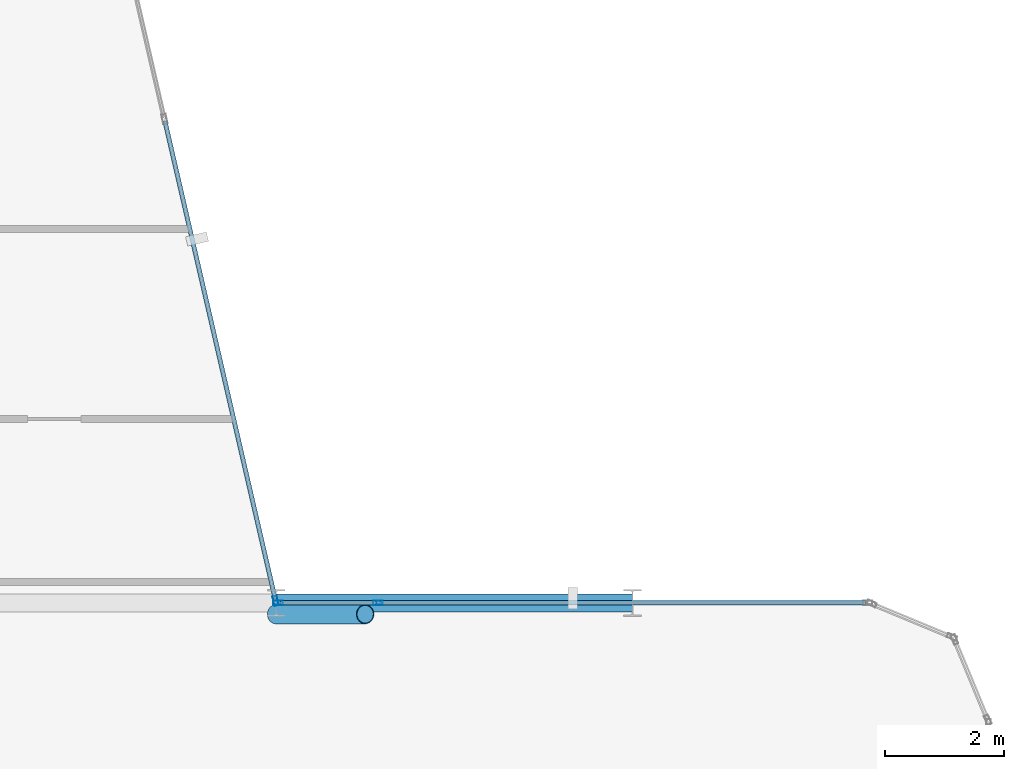
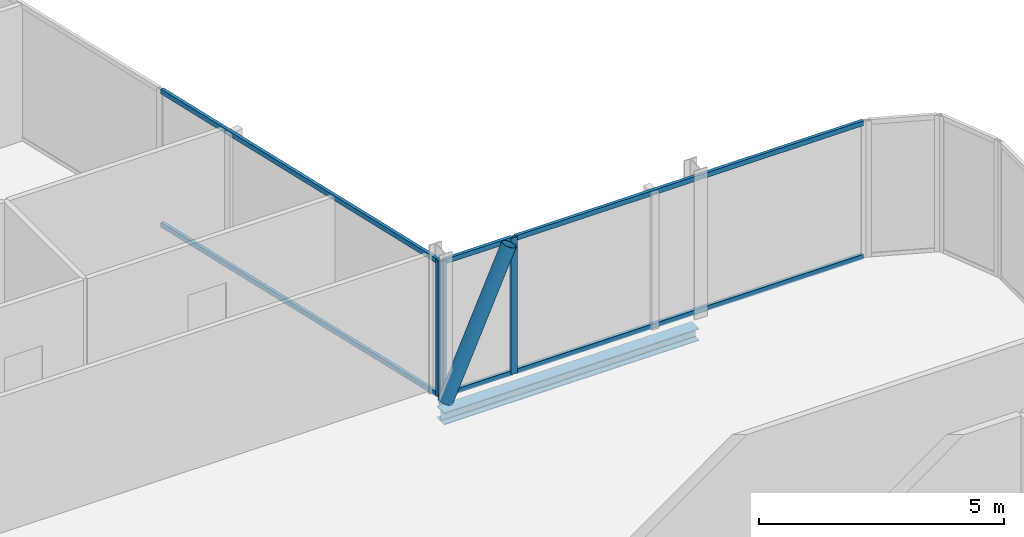
# One storey, part 14 of 29: 10 members, 1 beam, 3 elements without a shape of their own.
"""IFC4 building model written with IfcOpenShell, lengths in metres."""

from ifc_helpers import new_model, si_unit, direction, frame, origin, origin_2d, place, context, subcontext, project, spatial, hollow_rectangle, hollow_circle, i_section, extrude, material, layer, layer_set, material_profile, profile_set, type_object, element, aggregate, save


model = new_model("IFC4")

# Units and contexts
model_context = context("Model", 3, precision=1e-05, world=origin(), true_north=direction((0.0, 1.0)))
body_context = subcontext(model_context, "Body", "Model", "MODEL_VIEW")
ifc_project = project(units=[si_unit("LENGTHUNIT", "METRE"), si_unit("AREAUNIT", "SQUARE_METRE"), si_unit("VOLUMEUNIT", "CUBIC_METRE"), si_unit("PLANEANGLEUNIT", "RADIAN"), si_unit("MASSUNIT", "GRAM", prefix="KILO")], contexts=[model_context])

# Site, building, storey
site_placement = place(None, origin())
site = spatial("IfcSite", under=ifc_project, at=site_placement, CompositionType="ELEMENT")
building_placement = place(site_placement, origin())
building = spatial("IfcBuilding", under=site, at=building_placement, Name="Keshet Zoharim Tower", CompositionType="ELEMENT")
storey_placement = place(building_placement, frame((0.0, 0.0, 195.800048828125)))
storey = spatial("IfcBuildingStorey", under=building, at=storey_placement, Name="L48", CompositionType="ELEMENT", Elevation=195.800048828125)

# Beam
ifc_material_1 = material(Name="Steel S355", Category="steel")
ifc_material_profile_1 = material_profile(ifc_material_1, i_section(OverallWidth=0.300048828125, OverallDepth=0.300048828125, WebThickness=0.010986328125, FlangeThickness=0.01904296875, FilletRadius=0.027099609375, at=origin_2d()), Name="HEB300")
ifc_profile_set_1 = profile_set([ifc_material_profile_1], Name="Steel S355")
beam_type = type_object("IfcBeamType", Name="BM-PRI-HB300", PredefinedType="BEAM", material=ifc_profile_set_1)
beam_placement = place(storey_placement, frame((45.0, 27.89990234375, -0.4599609375), z_axis=(1.0, 0.0, 0.0), x_axis=(0.0, 1.0, 0.0)))
element("IfcBeam", 1, at=beam_placement, inside=storey, type_object=beam_type, Name="L48 Primary Girder X-016", PredefinedType="BEAM", context=body_context, shape_type="SweptSolid", body=[
    extrude(i_section(OverallWidth=0.300048828125, OverallDepth=0.300048828125, WebThickness=0.010986328125, FlangeThickness=0.01904296875, FilletRadius=0.027099609375, at=origin_2d()), origin(), (0.0, 0.0, 1.0), 6.0),
])

# Curtain wall, member
ifc_material_2 = material(Name="Aluminium 6063-T6", Category="aluminium")
ifc_layer = layer(ifc_material_2, 0.139892578125)
ifc_layer_set = layer_set([ifc_layer], Name="Aluminium 6063-T6")
curtain_wall_type = type_object("IfcCurtainWallType", Name="CW-SYS-05", PredefinedType="NOTDEFINED", material=ifc_layer_set)
curtain_wall_1_placement = place(storey_placement, origin())
curtain_wall_1 = element("IfcCurtainWall", 2, at=curtain_wall_1_placement, inside=storey, type_object=curtain_wall_type, Name="L48 Unitised Curtain Wall 19", PredefinedType="NOTDEFINED")
ifc_material_profile_2 = material_profile(ifc_material_2, hollow_rectangle(XDim=0.074951171875, YDim=0.159912109375, WallThickness=0.00390625, at=origin_2d()), Name="MUL-75x160")
ifc_profile_set_2 = profile_set([ifc_material_profile_2], Name="Aluminium 6063-T6")
member_type_1 = type_object("IfcMemberType", Name="CWM-M15", PredefinedType="MULLION", material=ifc_profile_set_2)
member_1_placement = place(storey_placement, frame((44.9921875, 27.93408203125, 0.0), z_axis=(0.0, 0.0, 1.0), x_axis=(0.974393882313, 0.224847864369, 0.0)))
member_1 = element("IfcMember", 3, at=member_1_placement, type_object=member_type_1, Name="CW-05 mullion 4", PredefinedType="MULLION", context=body_context, shape_type="SweptSolid", body=[
    extrude(hollow_rectangle(XDim=0.074951171875, YDim=0.159912109375, WallThickness=0.00390625, at=origin_2d()), origin(), (0.0, 0.0, 1.0), 3.389892578125),
])

# Curtain wall, members
curtain_wall_2_placement = place(storey_placement, origin())
curtain_wall_2 = element("IfcCurtainWall", 4, at=curtain_wall_2_placement, inside=storey, type_object=curtain_wall_type, Name="L48 Unitised Curtain Wall 20", PredefinedType="NOTDEFINED")
member_2_placement = place(storey_placement, frame((45.034912109375, 27.89990234375, 0.0), z_axis=(0.0, 0.0, 1.0), x_axis=(0.0, 1.0, 0.0)))
member_2 = element("IfcMember", 5, at=member_2_placement, type_object=member_type_1, Name="CW-05 mullion 1", PredefinedType="MULLION", context=body_context, shape_type="SweptSolid", body=[
    extrude(hollow_rectangle(XDim=0.074951171875, YDim=0.159912109375, WallThickness=0.00390625, at=origin_2d()), origin(), (0.0, 0.0, 1.0), 3.389892578125),
])
member_3_placement = place(storey_placement, frame((46.713134765625, 27.89990234375, 0.0), z_axis=(0.0, 0.0, 1.0), x_axis=(0.0, 1.0, 0.0)))
member_3 = element("IfcMember", 6, at=member_3_placement, type_object=member_type_1, Name="CW-05 mullion 2", PredefinedType="MULLION", context=body_context, shape_type="SweptSolid", body=[
    extrude(hollow_rectangle(XDim=0.074951171875, YDim=0.159912109375, WallThickness=0.00390625, at=origin_2d()), origin(), (0.0, 0.0, 1.0), 3.389892578125),
])

# Member
ifc_material_profile_3 = material_profile(ifc_material_2, hollow_rectangle(XDim=0.074951171875, YDim=0.1201171875, WallThickness=0.00390625, at=origin_2d()), Name="TRN-75x120")
ifc_profile_set_3 = profile_set([ifc_material_profile_3], Name="Aluminium 6063-T6")
member_type_2 = type_object("IfcMemberType", Name="CWT-T12", PredefinedType="USERDEFINED", material=ifc_profile_set_3)
member_4_placement = place(storey_placement, frame((43.127197265625, 36.015869140625, 0.034912109375), z_axis=(0.224863824467, -0.974390199277, 0.0), x_axis=(0.974390199277, 0.224863824467, 0.0)))
member_4 = element("IfcMember", 7, at=member_4_placement, type_object=member_type_2, Name="CW-05 transom 3.1", ObjectType="TRANSOM", PredefinedType="USERDEFINED", context=body_context, shape_type="SweptSolid", body=[
    extrude(hollow_rectangle(XDim=0.074951171875, YDim=0.1201171875, WallThickness=0.00390625, at=origin_2d()), origin(), (0.0, 0.0, 1.0), 8.259033203125),
])

member_5_placement = place(storey_placement, frame((43.127197265625, 36.015869140625, 3.35498046875), z_axis=(0.224863824467, -0.974390199277, 0.0), x_axis=(0.974390199277, 0.224863824467, 0.0)))
member_5 = element("IfcMember", 8, at=member_5_placement, type_object=member_type_2, Name="CW-05 transom 3.2", ObjectType="TRANSOM", PredefinedType="USERDEFINED", context=body_context, shape_type="SweptSolid", body=[
    extrude(hollow_rectangle(XDim=0.074951171875, YDim=0.1201171875, WallThickness=0.00390625, at=origin_2d()), origin(), (0.0, 0.0, 1.0), 8.259033203125),
])

aggregate(curtain_wall_1, [member_1, member_4, member_5])

member_6_placement = place(storey_placement, frame((45.070068359375, 27.89990234375, 0.034912109375), z_axis=(1.0, 0.0, 0.0), x_axis=(0.0, 1.0, 0.0)))
member_6 = element("IfcMember", 9, at=member_6_placement, type_object=member_type_2, Name="CW-05 transom 1.1", ObjectType="TRANSOM", PredefinedType="USERDEFINED", context=body_context, shape_type="SweptSolid", body=[
    extrude(hollow_rectangle(XDim=0.074951171875, YDim=0.1201171875, WallThickness=0.00390625, at=origin_2d()), origin(), (0.0, 0.0, 1.0), 1.60791015625),
])

member_7_placement = place(storey_placement, frame((45.070068359375, 27.89990234375, 3.35498046875), z_axis=(1.0, 0.0, 0.0), x_axis=(0.0, 1.0, 0.0)))
member_7 = element("IfcMember", 10, at=member_7_placement, type_object=member_type_2, Name="CW-05 transom 1.2", ObjectType="TRANSOM", PredefinedType="USERDEFINED", context=body_context, shape_type="SweptSolid", body=[
    extrude(hollow_rectangle(XDim=0.074951171875, YDim=0.1201171875, WallThickness=0.00390625, at=origin_2d()), origin(), (0.0, 0.0, 1.0), 1.60791015625),
])

aggregate(curtain_wall_2, [member_2, member_3, member_6, member_7])

# Curtain wall, members
curtain_wall_3_placement = place(storey_placement, origin())
curtain_wall_3 = element("IfcCurtainWall", 11, at=curtain_wall_3_placement, inside=storey, type_object=curtain_wall_type, Name="L48 Unitised Curtain Wall 20 Part 2", PredefinedType="NOTDEFINED")
member_8_placement = place(storey_placement, frame((46.748046875, 27.89990234375, 0.034912109375), z_axis=(1.0, 0.0, 0.0), x_axis=(0.0, 1.0, 0.0)))
member_8 = element("IfcMember", 12, at=member_8_placement, type_object=member_type_2, Name="CW-05 transom 1.1", ObjectType="TRANSOM", PredefinedType="USERDEFINED", context=body_context, shape_type="SweptSolid", body=[
    extrude(hollow_rectangle(XDim=0.074951171875, YDim=0.1201171875, WallThickness=0.00390625, at=origin_2d()), origin(), (0.0, 0.0, 1.0), 8.181884765625),
])
member_9_placement = place(storey_placement, frame((46.748046875, 27.89990234375, 3.35498046875), z_axis=(1.0, 0.0, 0.0), x_axis=(0.0, 1.0, 0.0)))
member_9 = element("IfcMember", 13, at=member_9_placement, type_object=member_type_2, Name="CW-05 transom 1.2", ObjectType="TRANSOM", PredefinedType="USERDEFINED", context=body_context, shape_type="SweptSolid", body=[
    extrude(hollow_rectangle(XDim=0.074951171875, YDim=0.1201171875, WallThickness=0.00390625, at=origin_2d()), origin(), (0.0, 0.0, 1.0), 8.181884765625),
])
aggregate(curtain_wall_3, [member_8, member_9])

# Member
ifc_material_profile_4 = material_profile(ifc_material_1, hollow_circle(Radius=0.161865234375, WallThickness=0.012451171875, at=origin_2d()), Name="CHS323x12.5")
ifc_profile_set_4 = profile_set([ifc_material_profile_4], Name="Steel S355")
member_type_3 = type_object("IfcMemberType", Name="MB-BR-C323", PredefinedType="BRACE", material=ifc_profile_set_4)
member_10_placement = place(storey_placement, frame((45.0, 27.7099609375, 0.0), z_axis=(0.40464689807, 0.0, 0.914473011019), x_axis=(0.0, 1.0, 0.0)))
element("IfcMember", 14, at=member_10_placement, inside=storey, type_object=member_type_3, Name="L48 Perimeter Tube Brace 04", PredefinedType="BRACE", context=body_context, shape_type="SweptSolid", body=[
    extrude(hollow_circle(Radius=0.161865234375, WallThickness=0.012451171875, at=origin_2d()), origin(), (0.0, 0.0, 1.0), 3.70703125),
])

save(model, "model.ifc")
